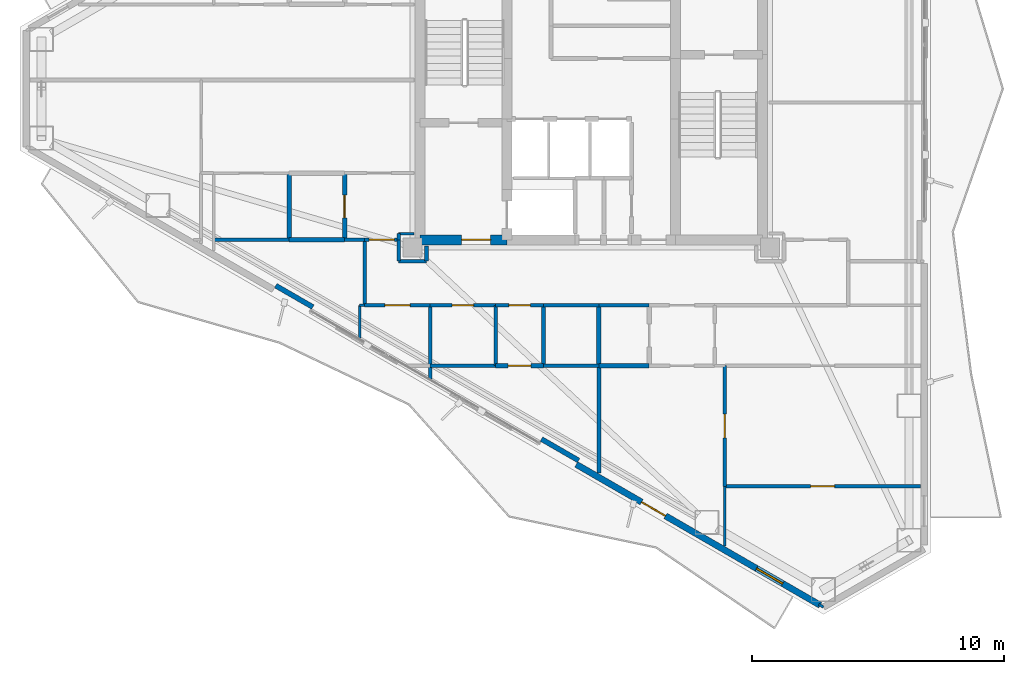
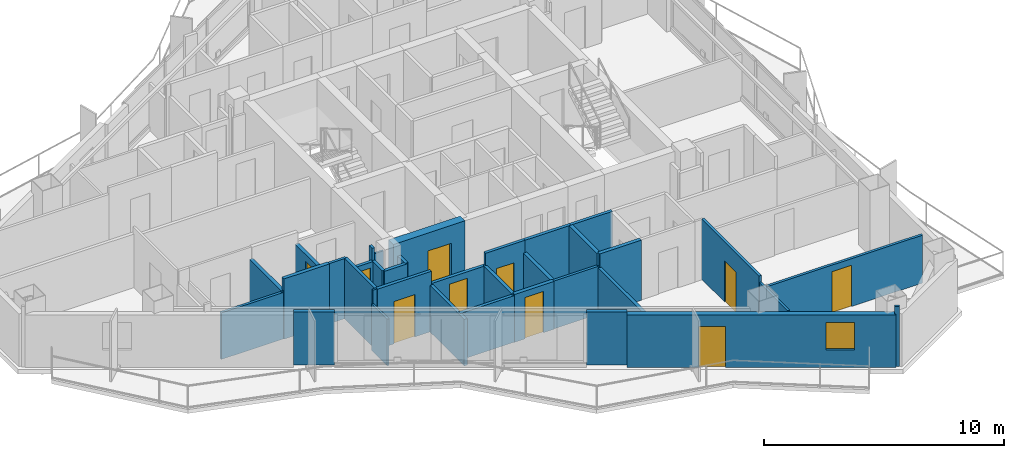
# One storey, part 12 of 19: 36 walls, 10 doors, 1 window, 11 openings.
"""IFC4 building model written with IfcOpenShell, lengths in metres."""

from ifc_helpers import new_model, si_unit, direction, frame, frame_2d, origin, place, context, subcontext, project, spatial, rectangle, extrude, material, layer, layer_set, type_object, element, fill, save


model = new_model("IFC4")

# Units and contexts
model_context = context("Model", 3, precision=1e-05, world=origin(), true_north=direction((0.0, 1.0)))
body_context = subcontext(model_context, "Body", "Model", "MODEL_VIEW")
ifc_project = project(units=[si_unit("LENGTHUNIT", "METRE"), si_unit("AREAUNIT", "SQUARE_METRE"), si_unit("VOLUMEUNIT", "CUBIC_METRE"), si_unit("PLANEANGLEUNIT", "RADIAN"), si_unit("MASSUNIT", "GRAM", prefix="KILO")], contexts=[model_context])

# Site, building, storey
site_placement = place(None, origin())
site = spatial("IfcSite", under=ifc_project, at=site_placement, CompositionType="ELEMENT")
building_placement = place(site_placement, origin())
building = spatial("IfcBuilding", under=site, at=building_placement, Name="Mersakhor Tower and Convention Hall", CompositionType="ELEMENT")
storey_placement = place(building_placement, frame((0.0, 0.0, 141.0)))
storey = spatial("IfcBuildingStorey", under=building, at=storey_placement, Name="L39", CompositionType="ELEMENT", Elevation=141.0)

# Wall, openings, door, window
ifc_material_1 = material(Name="Precast concrete C40/50", Category="concrete")
ifc_layer_1 = layer(ifc_material_1, 0.25)
ifc_layer_set_1 = layer_set([ifc_layer_1], Name="Precast concrete C40/50")
wall_type_1 = type_object("IfcWallType", Name="WL-EXT-250", PredefinedType="SOLIDWALL", material=ifc_layer_set_1)
wall_1_placement = place(storey_placement, frame((38.090576171875, 6.2373046875, 0.0), z_axis=(0.0, 0.0, 1.0), x_axis=(-0.86602239209, 0.500005216371, 0.0)))
wall_1 = element("IfcWall", 1, at=wall_1_placement, inside=storey, type_object=wall_type_1, Name="L39 Exterior Facade Wall F3-B1", PredefinedType="SOLIDWALL", context=body_context, shape_type="SweptSolid", body=[
    extrude(rectangle(XDim=11.18603515625, YDim=0.25, at=frame_2d((5.593017578125, 0.0))), origin(), (0.0, 0.0, 1.0), 2.679931640625),
])
opening_1_placement = place(wall_1_placement, frame((7.094970703125, 0.0, 0.0)))
opening_1 = element("IfcOpeningElement", 2, at=opening_1_placement, cuts=wall_1, Name="Opening BD-02", PredefinedType="OPENING", context=body_context, shape_type="SweptSolid", body=[
    extrude(rectangle(XDim=1.10009765625, YDim=2.10009765625, at=frame_2d((0.550048828125, 1.050048828125))), frame((0.0, 0.135009765625, 0.0), z_axis=(0.0, -1.0, 0.0), x_axis=(1.0, 0.0, 0.0)), (0.0, 0.0, 1.0), 0.27001953125),
])
opening_2_placement = place(wall_1_placement, frame((1.718017578125, 0.0, 0.89990234375)))
opening_2 = element("IfcOpeningElement", 3, at=opening_2_placement, cuts=wall_1, Name="Opening W-01", PredefinedType="OPENING", context=body_context, shape_type="SweptSolid", body=[
    extrude(rectangle(XDim=1.199951171875, YDim=1.39990234375, at=frame_2d((0.60009765625, 0.699951171875))), frame((0.0, 0.135009765625, 0.0), z_axis=(0.0, -1.0, 0.0), x_axis=(1.0, 0.0, 0.0)), (0.0, 0.0, 1.0), 0.27001953125),
])
ifc_material_2 = material(Name="Thermally broken dark aluminium and safety glass", Category="aluminium")
door_type_1 = type_object("IfcDoorType", Name="DR-BAL-110x210", OperationType="NOTDEFINED", PredefinedType="DOOR", material=ifc_material_2)
door_1_placement = place(opening_1_placement, origin())
door_1 = element("IfcDoor", 4, at=door_1_placement, inside=storey, type_object=door_type_1, Name="L39 Balcony Terrace Door F3-B1", OperationType="SINGLE_SWING_RIGHT", OverallHeight=2.10009765625, OverallWidth=1.10009765625, PredefinedType="DOOR", context=body_context, shape_type="SweptSolid", body=[
    extrude(rectangle(XDim=1.10009765625, YDim=2.10009765625, at=frame_2d((0.550048828125, 1.050048828125))), frame((0.0, 0.02490234375, 0.0), z_axis=(0.0, -1.0, 0.0), x_axis=(1.0, 0.0, 0.0)), (0.0, 0.0, 1.0), 0.050048828125),
])
fill(opening_1, door_1)
ifc_material_3 = material(Name="Dark solar low-E glazed aluminium window", Category="aluminium")
window_type = type_object("IfcWindowType", Name="WN-RES-120x150", PartitioningType="SINGLE_PANEL", PredefinedType="WINDOW", material=ifc_material_3)
window_placement = place(opening_2_placement, origin())
window = element("IfcWindow", 5, at=window_placement, inside=storey, type_object=window_type, Name="L39 Bedroom Facade Window F3-B1-1", OverallHeight=1.39990234375, OverallWidth=1.199951171875, PartitioningType="SINGLE_PANEL", PredefinedType="WINDOW", context=body_context, shape_type="SweptSolid", body=[
    extrude(rectangle(XDim=1.199951171875, YDim=1.39990234375, at=frame_2d((0.60009765625, 0.699951171875))), frame((0.0, 0.030029296875, 0.0), z_axis=(0.0, -1.0, 0.0), x_axis=(1.0, 0.0, 0.0)), (0.0, 0.0, 1.0), 0.06005859375),
])
fill(opening_2, window)

# Walls
ifc_material_4 = material(Name="Precast concrete C40/50", Category="concrete")
ifc_layer_2 = layer(ifc_material_4, 0.199951171875)
ifc_layer_set_2 = layer_set([ifc_layer_2], Name="Precast concrete C40/50")
wall_type_2 = type_object("IfcWallType", Name="WL-PAR-200", PredefinedType="PARAPET", material=ifc_layer_set_2)
for number, where, z_axis, x_axis, name in (
    (6, (28.4931640625, 11.986328125, 0.0), (0.0, 0.0, 1.0), (-0.86605165483, 0.499954529098, 0.0), "L39 Column Pier Cladding Wall F3-C1"),
    (7, (17.939697265625, 18.0791015625, 0.0), (0.0, 0.0, 1.0), (-0.865989465428, 0.500062241894, 0.0), "L39 Column Pier Cladding Wall F3-C2"),
):
    element("IfcWall", number, at=place(storey_placement, frame(where, z_axis=z_axis, x_axis=x_axis)), inside=storey, type_object=wall_type_2, Name=name, PredefinedType="PARAPET", context=body_context, shape_type="SweptSolid", body=[
        extrude(rectangle(XDim=1.699951171875, YDim=0.199951171875, at=frame_2d((0.85009765625, 0.0))), origin(), (0.0, 0.0, 1.0), 2.679931640625),
    ])

# Wall, opening, door
ifc_material_5 = material(Name="Moisture-resistant acoustic drywall studwork", Category="other")
ifc_layer_3 = layer(ifc_material_5, 0.175048828125)
ifc_layer_set_3 = layer_set([ifc_layer_3], Name="Moisture-resistant acoustic drywall studwork")
wall_type_3 = type_object("IfcWallType", Name="WL-PLM-175", PredefinedType="PLUMBINGWALL", material=ifc_layer_set_3)
wall_2_placement = place(storey_placement, frame((19.199951171875, 20.75, 0.0), z_axis=(0.0, 0.0, 1.0), x_axis=(0.0, 1.0, 0.0)))
wall_2 = element("IfcWall", 8, at=wall_2_placement, inside=storey, type_object=wall_type_3, Name="L39 Interior Partition Wall P-064", PredefinedType="PLUMBINGWALL", context=body_context, shape_type="SweptSolid", body=[
    extrude(rectangle(XDim=2.64990234375, YDim=0.175048828125, at=frame_2d((1.324951171875, 0.0))), origin(), (0.0, 0.0, 1.0), 2.432861328125),
])
opening_3_placement = place(wall_2_placement, frame((0.875, 0.0, 0.0)))
opening_3 = element("IfcOpeningElement", 9, at=opening_3_placement, cuts=wall_2, Name="Opening WD-01", PredefinedType="OPENING", context=body_context, shape_type="SweptSolid", body=[
    extrude(rectangle(XDim=0.89990234375, YDim=2.10009765625, at=frame_2d((0.449951171875, 1.050048828125))), frame((0.0, 0.097412109375, 0.0), z_axis=(0.0, -1.0, 0.0), x_axis=(1.0, 0.0, 0.0)), (0.0, 0.0, 1.0), 0.195068359375),
])
ifc_material_6 = material(Name="Solid-core hardwood leaf in painted steel frame", Category="steel")
door_type_2 = type_object("IfcDoorType", Name="DR-INT-WET-090x210", OperationType="NOTDEFINED", PredefinedType="DOOR", material=ifc_material_6)
door_2_placement = place(opening_3_placement, origin())
door_2 = element("IfcDoor", 10, at=door_2_placement, inside=storey, type_object=door_type_2, Name="L39 L39 Flat W6 Apartment Hall to L39 Flat W6 Bathroom Door", OperationType="SINGLE_SWING_RIGHT", OverallHeight=2.10009765625, OverallWidth=0.89990234375, PredefinedType="DOOR", context=body_context, shape_type="SweptSolid", body=[
    extrude(rectangle(XDim=0.89990234375, YDim=2.10009765625, at=frame_2d((0.449951171875, 1.050048828125))), frame((0.0, 0.02490234375, 0.0), z_axis=(0.0, -1.0, 0.0), x_axis=(1.0, 0.0, 0.0)), (0.0, 0.0, 1.0), 0.050048828125),
])
fill(opening_3, door_2)

wall_3_placement = place(storey_placement, frame((27.10009765625, 15.75, 0.0), z_axis=(0.0, 0.0, 1.0), x_axis=(-1.0, 0.0, 0.0)))
wall_3 = element("IfcWall", 11, at=wall_3_placement, inside=storey, type_object=wall_type_3, Name="L39 Interior Partition Wall P-077", PredefinedType="PLUMBINGWALL", context=body_context, shape_type="SweptSolid", body=[
    extrude(rectangle(XDim=1.900146484375, YDim=0.175048828125, at=frame_2d((0.9501953125, 0.0))), origin(), (0.0, 0.0, 1.0), 2.432861328125),
])
opening_4_placement = place(wall_3_placement, frame((0.5, 0.0, 0.0)))
opening_4 = element("IfcOpeningElement", 12, at=opening_4_placement, cuts=wall_3, Name="Opening WD-01", PredefinedType="OPENING", context=body_context, shape_type="SweptSolid", body=[
    extrude(rectangle(XDim=0.89990234375, YDim=2.10009765625, at=frame_2d((0.449951171875, 1.050048828125))), frame((0.0, 0.097412109375, 0.0), z_axis=(0.0, -1.0, 0.0), x_axis=(1.0, 0.0, 0.0)), (0.0, 0.0, 1.0), 0.195068359375),
])
door_3_placement = place(opening_4_placement, origin())
door_3 = element("IfcDoor", 13, at=door_3_placement, inside=storey, type_object=door_type_2, Name="L39 L39 Floor Shared Restroom WC 3-2 to L39 Floor Residents Study Room 3-4 Door", OperationType="SINGLE_SWING_LEFT", OverallHeight=2.10009765625, OverallWidth=0.89990234375, PredefinedType="DOOR", context=body_context, shape_type="SweptSolid", body=[
    extrude(rectangle(XDim=0.89990234375, YDim=2.10009765625, at=frame_2d((0.449951171875, 1.050048828125))), frame((0.0, 0.02490234375, 0.0), z_axis=(0.0, -1.0, 0.0), x_axis=(1.0, 0.0, 0.0)), (0.0, 0.0, 1.0), 0.050048828125),
])
fill(opening_4, door_3)

# Walls
wall_4_placement = place(storey_placement, frame((27.10009765625, 18.14990234375, 0.0), z_axis=(0.0, 0.0, 1.0), x_axis=(0.0, -1.0, 0.0)))
element("IfcWall", 14, at=wall_4_placement, inside=storey, type_object=wall_type_3, Name="L39 Interior Partition Wall P-079", PredefinedType="PLUMBINGWALL", context=body_context, shape_type="SweptSolid", body=[
    extrude(rectangle(XDim=2.39990234375, YDim=0.175048828125, at=frame_2d((1.199951171875, 0.0))), origin(), (0.0, 0.0, 1.0), 2.432861328125),
])
wall_5_placement = place(storey_placement, frame((31.300048828125, 15.75, 0.0), z_axis=(0.0, 0.0, 1.0), x_axis=(-1.0, 0.0, 0.0)))
element("IfcWall", 15, at=wall_5_placement, inside=storey, type_object=wall_type_3, Name="L39 Interior Partition Wall P-080", PredefinedType="PLUMBINGWALL", context=body_context, shape_type="SweptSolid", body=[
    extrude(rectangle(XDim=2.0, YDim=0.175048828125, at=frame_2d((1.0, 0.0))), origin(), (0.0, 0.0, 1.0), 3.06005859375),
])
wall_6_placement = place(storey_placement, frame((29.300048828125, 15.75, 0.0), z_axis=(0.0, 0.0, 1.0), x_axis=(0.0, 1.0, 0.0)))
element("IfcWall", 16, at=wall_6_placement, inside=storey, type_object=wall_type_3, Name="L39 Interior Partition Wall P-081", PredefinedType="PLUMBINGWALL", context=body_context, shape_type="SweptSolid", body=[
    extrude(rectangle(XDim=2.39990234375, YDim=0.175048828125, at=frame_2d((1.199951171875, 0.0))), origin(), (0.0, 0.0, 1.0), 3.06005859375),
])
wall_7_placement = place(storey_placement, frame((19.199951171875, 20.75, 0.0), z_axis=(0.0, 0.0, 1.0), x_axis=(-1.0, 0.0, 0.0)))
element("IfcWall", 17, at=wall_7_placement, inside=storey, type_object=wall_type_3, Name="L39 Interior Partition Wall P-092", PredefinedType="PLUMBINGWALL", context=body_context, shape_type="SweptSolid", body=[
    extrude(rectangle(XDim=2.199951171875, YDim=0.175048828125, at=frame_2d((1.10009765625, 0.0))), origin(), (0.0, 0.0, 1.0), 3.06005859375),
])
wall_8_placement = place(storey_placement, frame((17.0, 20.75, 0.0), z_axis=(0.0, 0.0, 1.0), x_axis=(0.0, 1.0, 0.0)))
element("IfcWall", 18, at=wall_8_placement, inside=storey, type_object=wall_type_3, Name="L39 Interior Partition Wall P-093", PredefinedType="PLUMBINGWALL", context=body_context, shape_type="SweptSolid", body=[
    extrude(rectangle(XDim=2.64990234375, YDim=0.175048828125, at=frame_2d((1.324951171875, 0.0))), origin(), (0.0, 0.0, 1.0), 2.432861328125),
])
ifc_material_7 = material(Name="Lightweight gypsum partition", Category="other")
ifc_layer_4 = layer(ifc_material_7, 0.10009765625)
ifc_layer_set_4 = layer_set([ifc_layer_4], Name="Lightweight gypsum partition")
wall_type_4 = type_object("IfcWallType", Name="WL-PRT-100", PredefinedType="PARTITIONING", material=ifc_layer_set_4)
wall_9_placement = place(storey_placement, frame((21.949951171875, 21.0, 0.0), z_axis=(0.0, 0.0, 1.0), x_axis=(-1.0, 0.0, 0.0)))
element("IfcWall", 19, at=wall_9_placement, inside=storey, type_object=wall_type_4, Name="L39 Interior Partition Wall P-066", PredefinedType="PARTITIONING", context=body_context, shape_type="SweptSolid", body=[
    extrude(rectangle(XDim=0.599853515625, YDim=0.10009765625, at=frame_2d((0.2998046875, 0.0))), origin(), (0.0, 0.0, 1.0), 2.5849609375),
])
wall_10_placement = place(storey_placement, frame((19.800048828125, 18.14990234375, 0.0), z_axis=(0.0, 0.0, 1.0), x_axis=(1.0, 0.0, 0.0)))
element("IfcWall", 20, at=wall_10_placement, inside=storey, type_object=wall_type_4, Name="L39 Interior Partition Wall P-122", PredefinedType="PARTITIONING", context=body_context, shape_type="SweptSolid", body=[
    extrude(rectangle(XDim=0.199951171875, YDim=0.10009765625, at=frame_2d((0.10009765625, 0.0))), origin(), (0.0, 0.0, 1.0), 3.06005859375),
])
wall_11_placement = place(storey_placement, frame((19.800048828125, 16.84130859375, 0.0), z_axis=(0.0, 0.0, 1.0), x_axis=(0.0, 1.0, 0.0)))
element("IfcWall", 21, at=wall_11_placement, inside=storey, type_object=wall_type_4, Name="L39 Interior Partition Wall P-124", PredefinedType="PARTITIONING", context=body_context, shape_type="SweptSolid", body=[
    extrude(rectangle(XDim=1.30859375, YDim=0.10009765625, at=frame_2d((0.654296875, 0.0))), origin(), (0.0, 0.0, 1.0), 2.364990234375),
])
wall_12_placement = place(storey_placement, frame((34.300048828125, 10.9599609375, 0.0), z_axis=(0.0, 0.0, 1.0), x_axis=(0.0, -1.0, 0.0)))
element("IfcWall", 22, at=wall_12_placement, inside=storey, type_object=wall_type_4, Name="L39 Interior Partition Wall P-128", PredefinedType="PARTITIONING", context=body_context, shape_type="SweptSolid", body=[
    extrude(rectangle(XDim=2.362060546875, YDim=0.10009765625, at=frame_2d((1.18115234375, 0.0))), origin(), (0.0, 0.0, 1.0), 2.724609375),
])
wall_13_placement = place(storey_placement, frame((38.220703125, 6.162109375, 0.0), z_axis=(0.0, 0.0, 1.0), x_axis=(-0.865581379588, 0.500768285049, 0.0)))
element("IfcWall", 23, at=wall_13_placement, inside=storey, type_object=wall_type_4, Name="L39 Interior Partition Wall P-130", PredefinedType="PARTITIONING", context=body_context, shape_type="SweptSolid", body=[
    extrude(rectangle(XDim=0.215576171875, YDim=0.10009765625, at=frame_2d((0.10791015625, 0.0))), origin(), (0.0, 0.0, 1.0), 3.06005859375),
])
ifc_material_8 = material(Name="Gypsum board acoustic partition", Category="other")
ifc_layer_5 = layer(ifc_material_8, 0.125)
ifc_layer_set_5 = layer_set([ifc_layer_5], Name="Gypsum board acoustic partition")
wall_type_5 = type_object("IfcWallType", Name="WL-PRT-125", PredefinedType="PARTITIONING", material=ifc_layer_set_5)
wall_14_placement = place(storey_placement, frame((20.0, 20.75, 0.0), z_axis=(0.0, 0.0, 1.0), x_axis=(-1.0, 0.0, 0.0)))
element("IfcWall", 24, at=wall_14_placement, inside=storey, type_object=wall_type_5, Name="L39 Interior Partition Wall P-063", PredefinedType="PARTITIONING", context=body_context, shape_type="SweptSolid", body=[
    extrude(rectangle(XDim=0.800048828125, YDim=0.125, at=frame_2d((0.39990234375, 0.0))), origin(), (0.0, 0.0, 1.0), 3.06005859375),
])
wall_15_placement = place(storey_placement, frame((21.35009765625, 21.0, 0.0), z_axis=(0.0, 0.0, 1.0), x_axis=(0.0, -1.0, 0.0)))
element("IfcWall", 25, at=wall_15_placement, inside=storey, type_object=wall_type_5, Name="L39 Interior Partition Wall P-067", PredefinedType="PARTITIONING", context=body_context, shape_type="SweptSolid", body=[
    extrude(rectangle(XDim=0.25, YDim=0.125, at=frame_2d((0.125, 0.0))), origin(), (0.0, 0.0, 1.0), 3.06005859375),
])
wall_16_placement = place(storey_placement, frame((17.0, 20.75, 0.0), z_axis=(0.0, 0.0, 1.0), x_axis=(-1.0, 0.0, 0.0)))
element("IfcWall", 26, at=wall_16_placement, inside=storey, type_object=wall_type_5, Name="L39 Interior Partition Wall P-095", PredefinedType="PARTITIONING", context=body_context, shape_type="SweptSolid", body=[
    extrude(rectangle(XDim=3.0, YDim=0.125, at=frame_2d((1.5, 0.0))), origin(), (0.0, 0.0, 1.0), 2.364990234375),
])
wall_17_placement = place(storey_placement, frame((27.10009765625, 15.75, 0.0), z_axis=(0.0, 0.0, 1.0), x_axis=(1.0, 0.0, 0.0)))
element("IfcWall", 27, at=wall_17_placement, inside=storey, type_object=wall_type_5, Name="L39 Interior Partition Wall P-125", PredefinedType="PARTITIONING", context=body_context, shape_type="SweptSolid", body=[
    extrude(rectangle(XDim=2.199951171875, YDim=0.125, at=frame_2d((1.10009765625, 0.0))), origin(), (0.0, 0.0, 1.0), 2.432861328125),
])

# Wall, opening, door
wall_18_placement = place(storey_placement, frame((34.300048828125, 15.75, 0.0), z_axis=(0.0, 0.0, 1.0), x_axis=(0.0, -1.0, 0.0)))
wall_18 = element("IfcWall", 28, at=wall_18_placement, inside=storey, type_object=wall_type_5, Name="L39 Interior Partition Wall P-127", PredefinedType="PARTITIONING", context=body_context, shape_type="SweptSolid", body=[
    extrude(rectangle(XDim=4.7900390625, YDim=0.125, at=frame_2d((2.39501953125, 0.0))), origin(), (0.0, 0.0, 1.0), 3.06005859375),
])
opening_5_placement = place(wall_18_placement, frame((1.919921875, 0.0, 0.0)))
opening_5 = element("IfcOpeningElement", 29, at=opening_5_placement, cuts=wall_18, Name="Opening RD-01", PredefinedType="OPENING", context=body_context, shape_type="SweptSolid", body=[
    extrude(rectangle(XDim=0.949951171875, YDim=2.10009765625, at=frame_2d((0.47509765625, 1.050048828125))), frame((0.0, 0.072509765625, 0.0), z_axis=(0.0, -1.0, 0.0), x_axis=(1.0, 0.0, 0.0)), (0.0, 0.0, 1.0), 0.14501953125),
])
ifc_material_9 = material(Name="Solid-core hardwood leaf in painted steel frame", Category="steel")
door_type_3 = type_object("IfcDoorType", Name="DR-INT-RM-095x210", OperationType="NOTDEFINED", PredefinedType="DOOR", material=ifc_material_9)
door_4_placement = place(opening_5_placement, origin())
door_4 = element("IfcDoor", 30, at=door_4_placement, inside=storey, type_object=door_type_3, Name="L39 L39 Flat S4 Living and Dining Room to L39 Flat S4 Dining Room Door", OperationType="SINGLE_SWING_RIGHT", OverallHeight=2.10009765625, OverallWidth=0.949951171875, PredefinedType="DOOR", context=body_context, shape_type="SweptSolid", body=[
    extrude(rectangle(XDim=0.949951171875, YDim=2.10009765625, at=frame_2d((0.47509765625, 1.050048828125))), frame((0.0, 0.02490234375, 0.0), z_axis=(0.0, -1.0, 0.0), x_axis=(1.0, 0.0, 0.0)), (0.0, 0.0, 1.0), 0.050048828125),
])
fill(opening_5, door_4)

wall_19_placement = place(storey_placement, frame((34.300048828125, 10.9599609375, 0.0), z_axis=(0.0, 0.0, 1.0), x_axis=(1.0, 0.0, 0.0)))
wall_19 = element("IfcWall", 31, at=wall_19_placement, inside=storey, type_object=wall_type_5, Name="L39 Interior Partition Wall P-129", PredefinedType="PARTITIONING", context=body_context, shape_type="SweptSolid", body=[
    extrude(rectangle(XDim=7.770263671875, YDim=0.125, at=frame_2d((3.88525390625, 0.0))), origin(), (0.0, 0.0, 1.0), 2.432861328125),
])
opening_6_placement = place(wall_19_placement, frame((3.41015625, 0.0, 0.0)))
opening_6 = element("IfcOpeningElement", 32, at=opening_6_placement, cuts=wall_19, Name="Opening RD-01", PredefinedType="OPENING", context=body_context, shape_type="SweptSolid", body=[
    extrude(rectangle(XDim=0.949951171875, YDim=2.10009765625, at=frame_2d((0.47509765625, 1.050048828125))), frame((0.0, 0.072509765625, 0.0), z_axis=(0.0, -1.0, 0.0), x_axis=(1.0, 0.0, 0.0)), (0.0, 0.0, 1.0), 0.14501953125),
])
door_5_placement = place(opening_6_placement, origin())
door_5 = element("IfcDoor", 33, at=door_5_placement, inside=storey, type_object=door_type_3, Name="L39 L39 Flat S4 Bedroom 1 to L39 Flat S4 Dining Room Door", OperationType="SINGLE_SWING_LEFT", OverallHeight=2.10009765625, OverallWidth=0.949951171875, PredefinedType="DOOR", context=body_context, shape_type="SweptSolid", body=[
    extrude(rectangle(XDim=0.949951171875, YDim=2.10009765625, at=frame_2d((0.47509765625, 1.050048828125))), frame((0.0, 0.02490234375, 0.0), z_axis=(0.0, -1.0, 0.0), x_axis=(1.0, 0.0, 0.0)), (0.0, 0.0, 1.0), 0.050048828125),
])
fill(opening_6, door_5)

# Walls
ifc_material_10 = material(Name="Fire-rated gypsum board stud partition", Category="other")
ifc_layer_6 = layer(ifc_material_10, 0.14990234375)
ifc_layer_set_6 = layer_set([ifc_layer_6], Name="Fire-rated gypsum board stud partition")
wall_type_6 = type_object("IfcWallType", Name="WL-PRT-150", PredefinedType="PARTITIONING", material=ifc_layer_set_6)
wall_20_placement = place(storey_placement, frame((22.449951171875, 19.89990234375, 0.0), z_axis=(0.0, 0.0, 1.0), x_axis=(0.0, 1.0, 0.0)))
element("IfcWall", 34, at=wall_20_placement, inside=storey, type_object=wall_type_6, Name="L39 Interior Partition Wall P-034", PredefinedType="PARTITIONING", context=body_context, shape_type="SweptSolid", body=[
    extrude(rectangle(XDim=0.60009765625, YDim=0.14990234375, at=frame_2d((0.300048828125, 0.0))), origin(), (0.0, 0.0, 1.0), 2.432861328125),
])
wall_21_placement = place(storey_placement, frame((31.300048828125, 18.14990234375, 0.0), z_axis=(0.0, 0.0, 1.0), x_axis=(-1.0, 0.0, 0.0)))
element("IfcWall", 35, at=wall_21_placement, inside=storey, type_object=wall_type_6, Name="L39 Interior Partition Wall P-043", PredefinedType="PARTITIONING", context=body_context, shape_type="SweptSolid", body=[
    extrude(rectangle(XDim=2.0, YDim=0.14990234375, at=frame_2d((1.0, 0.0))), origin(), (0.0, 0.0, 1.0), 3.06005859375),
])
wall_22_placement = place(storey_placement, frame((29.300048828125, 18.14990234375, 0.0), z_axis=(0.0, 0.0, 1.0), x_axis=(-1.0, 0.0, 0.0)))
element("IfcWall", 36, at=wall_22_placement, inside=storey, type_object=wall_type_6, Name="L39 Interior Partition Wall P-044", PredefinedType="PARTITIONING", context=body_context, shape_type="SweptSolid", body=[
    extrude(rectangle(XDim=2.199951171875, YDim=0.14990234375, at=frame_2d((1.10009765625, 0.0))), origin(), (0.0, 0.0, 1.0), 3.06005859375),
])

# Wall, opening, door
wall_23_placement = place(storey_placement, frame((27.10009765625, 18.14990234375, 0.0), z_axis=(0.0, 0.0, 1.0), x_axis=(-1.0, 0.0, 0.0)))
wall_23 = element("IfcWall", 37, at=wall_23_placement, inside=storey, type_object=wall_type_6, Name="L39 Interior Partition Wall P-045", PredefinedType="PARTITIONING", context=body_context, shape_type="SweptSolid", body=[
    extrude(rectangle(XDim=1.900146484375, YDim=0.14990234375, at=frame_2d((0.9501953125, 0.0))), origin(), (0.0, 0.0, 1.0), 3.06005859375),
])
opening_7_placement = place(wall_23_placement, frame((0.52490234375, 0.0, 0.0)))
opening_7 = element("IfcOpeningElement", 38, at=opening_7_placement, cuts=wall_23, Name="Opening SVD-01", PredefinedType="OPENING", context=body_context, shape_type="SweptSolid", body=[
    extrude(rectangle(XDim=0.85009765625, YDim=2.10009765625, at=frame_2d((0.425048828125, 1.050048828125))), frame((0.0, 0.0849609375, 0.0), z_axis=(0.0, -1.0, 0.0), x_axis=(1.0, 0.0, 0.0)), (0.0, 0.0, 1.0), 0.169921875),
])
ifc_material_11 = material(Name="Fire-rated hardwood leaf and painted steel frame", Category="steel")
door_type_4 = type_object("IfcDoorType", Name="DR-INT-SVC-085x210", OperationType="NOTDEFINED", PredefinedType="DOOR", material=ifc_material_11)
door_6_placement = place(opening_7_placement, origin())
door_6 = element("IfcDoor", 39, at=door_6_placement, inside=storey, type_object=door_type_4, Name="L39 Residential South Gallery Corridor to L39 Floor Shared Restroom WC 3-2 Door", OperationType="SINGLE_SWING_RIGHT", OverallHeight=2.10009765625, OverallWidth=0.85009765625, PredefinedType="DOOR", context=body_context, shape_type="SweptSolid", body=[
    extrude(rectangle(XDim=0.85009765625, YDim=2.10009765625, at=frame_2d((0.425048828125, 1.050048828125))), frame((0.0, 0.02490234375, 0.0), z_axis=(0.0, -1.0, 0.0), x_axis=(1.0, 0.0, 0.0)), (0.0, 0.0, 1.0), 0.050048828125),
])
fill(opening_7, door_6)

wall_24_placement = place(storey_placement, frame((25.199951171875, 18.14990234375, 0.0), z_axis=(0.0, 0.0, 1.0), x_axis=(-1.0, 0.0, 0.0)))
wall_24 = element("IfcWall", 40, at=wall_24_placement, inside=storey, type_object=wall_type_6, Name="L39 Interior Partition Wall P-046", PredefinedType="PARTITIONING", context=body_context, shape_type="SweptSolid", body=[
    extrude(rectangle(XDim=2.599853515625, YDim=0.14990234375, at=frame_2d((1.2998046875, 0.0))), origin(), (0.0, 0.0, 1.0), 2.432861328125),
])
opening_8_placement = place(wall_24_placement, frame((0.875, 0.0, 0.0)))
opening_8 = element("IfcOpeningElement", 41, at=opening_8_placement, cuts=wall_24, Name="Opening SVD-01", PredefinedType="OPENING", context=body_context, shape_type="SweptSolid", body=[
    extrude(rectangle(XDim=0.85009765625, YDim=2.10009765625, at=frame_2d((0.425048828125, 1.050048828125))), frame((0.0, 0.0849609375, 0.0), z_axis=(0.0, -1.0, 0.0), x_axis=(1.0, 0.0, 0.0)), (0.0, 0.0, 1.0), 0.169921875),
])
door_7_placement = place(opening_8_placement, origin())
door_7 = element("IfcDoor", 42, at=door_7_placement, inside=storey, type_object=door_type_4, Name="L39 Residential South Gallery Corridor to L39 Floor Household Store Room 3-1 Door", OperationType="SINGLE_SWING_RIGHT", OverallHeight=2.10009765625, OverallWidth=0.85009765625, PredefinedType="DOOR", context=body_context, shape_type="SweptSolid", body=[
    extrude(rectangle(XDim=0.85009765625, YDim=2.10009765625, at=frame_2d((0.425048828125, 1.050048828125))), frame((0.0, 0.02490234375, 0.0), z_axis=(0.0, -1.0, 0.0), x_axis=(1.0, 0.0, 0.0)), (0.0, 0.0, 1.0), 0.050048828125),
])
fill(opening_8, door_7)

wall_25_placement = place(storey_placement, frame((22.60009765625, 18.14990234375, 0.0), z_axis=(0.0, 0.0, 1.0), x_axis=(-1.0, 0.0, 0.0)))
wall_25 = element("IfcWall", 43, at=wall_25_placement, inside=storey, type_object=wall_type_6, Name="L39 Interior Partition Wall P-047", PredefinedType="PARTITIONING", context=body_context, shape_type="SweptSolid", body=[
    extrude(rectangle(XDim=2.60009765625, YDim=0.14990234375, at=frame_2d((1.300048828125, 0.0))), origin(), (0.0, 0.0, 1.0), 3.06005859375),
])
opening_9_placement = place(wall_25_placement, frame((0.800048828125, 0.0, 0.0)))
opening_9 = element("IfcOpeningElement", 44, at=opening_9_placement, cuts=wall_25, Name="Opening FD-01", PredefinedType="OPENING", context=body_context, shape_type="SweptSolid", body=[
    extrude(rectangle(XDim=1.0, YDim=2.14990234375, at=frame_2d((0.5, 1.074951171875))), frame((0.0, 0.0849609375, 0.0), z_axis=(0.0, -1.0, 0.0), x_axis=(1.0, 0.0, 0.0)), (0.0, 0.0, 1.0), 0.169921875),
])
ifc_material_12 = material(Name="Fire-rated hardwood leaf and painted steel frame", Category="steel")
door_type_5 = type_object("IfcDoorType", Name="DR-INT-FLT-100x215", OperationType="NOTDEFINED", PredefinedType="DOOR", material=ifc_material_12)
door_8_placement = place(opening_9_placement, origin())
door_8 = element("IfcDoor", 45, at=door_8_placement, inside=storey, type_object=door_type_5, Name="L39 Residential South Gallery Corridor to L39 Floor Shared Tea Pantry 3-3 Door", OperationType="SINGLE_SWING_LEFT", OverallHeight=2.14990234375, OverallWidth=1.0, PredefinedType="DOOR", context=body_context, shape_type="SweptSolid", body=[
    extrude(rectangle(XDim=1.0, YDim=2.14990234375, at=frame_2d((0.5, 1.074951171875))), frame((0.0, 0.02490234375, 0.0), z_axis=(0.0, -1.0, 0.0), x_axis=(1.0, 0.0, 0.0)), (0.0, 0.0, 1.0), 0.050048828125),
])
fill(opening_9, door_8)

# Wall
wall_26_placement = place(storey_placement, frame((20.0, 18.14990234375, 0.0), z_axis=(0.0, 0.0, 1.0), x_axis=(0.0, 1.0, 0.0)))
element("IfcWall", 46, at=wall_26_placement, inside=storey, type_object=wall_type_6, Name="L39 Interior Partition Wall P-048", PredefinedType="PARTITIONING", context=body_context, shape_type="SweptSolid", body=[
    extrude(rectangle(XDim=2.60009765625, YDim=0.14990234375, at=frame_2d((1.300048828125, 0.0))), origin(), (0.0, 0.0, 1.0), 3.06005859375),
])

# Wall, opening, door
wall_27_placement = place(storey_placement, frame((20.0, 20.75, 0.0), z_axis=(0.0, 0.0, 1.0), x_axis=(1.0, 0.0, 0.0)))
wall_27 = element("IfcWall", 47, at=wall_27_placement, inside=storey, type_object=wall_type_6, Name="L39 Interior Partition Wall P-049", PredefinedType="PARTITIONING", context=body_context, shape_type="SweptSolid", body=[
    extrude(rectangle(XDim=1.35009765625, YDim=0.14990234375, at=frame_2d((0.675048828125, 0.0))), origin(), (0.0, 0.0, 1.0), 2.432861328125),
])
opening_10_placement = place(wall_27_placement, frame((0.175048828125, 0.0, 0.0)))
opening_10 = element("IfcOpeningElement", 48, at=opening_10_placement, cuts=wall_27, Name="Opening FD-01", PredefinedType="OPENING", context=body_context, shape_type="SweptSolid", body=[
    extrude(rectangle(XDim=1.0, YDim=2.14990234375, at=frame_2d((0.5, 1.074951171875))), frame((0.0, 0.0849609375, 0.0), z_axis=(0.0, -1.0, 0.0), x_axis=(1.0, 0.0, 0.0)), (0.0, 0.0, 1.0), 0.169921875),
])
door_9_placement = place(opening_10_placement, origin())
door_9 = element("IfcDoor", 49, at=door_9_placement, inside=storey, type_object=door_type_5, Name="L39 Apartment Entrance Door (Residential South Gallery Corridor to L39 Flat W6 Apartment Hall)", OperationType="SINGLE_SWING_LEFT", OverallHeight=2.14990234375, OverallWidth=1.0, PredefinedType="DOOR", context=body_context, shape_type="SweptSolid", body=[
    extrude(rectangle(XDim=1.0, YDim=2.14990234375, at=frame_2d((0.5, 1.074951171875))), frame((0.0, 0.02490234375, 0.0), z_axis=(0.0, -1.0, 0.0), x_axis=(1.0, 0.0, 0.0)), (0.0, 0.0, 1.0), 0.050048828125),
])
fill(opening_10, door_9)

# Walls
wall_28_placement = place(storey_placement, frame((21.35009765625, 20.75, 0.0), z_axis=(0.0, 0.0, 1.0), x_axis=(0.0, -1.0, 0.0)))
element("IfcWall", 50, at=wall_28_placement, inside=storey, type_object=wall_type_6, Name="L39 Interior Partition Wall P-050", PredefinedType="PARTITIONING", context=body_context, shape_type="SweptSolid", body=[
    extrude(rectangle(XDim=0.85009765625, YDim=0.14990234375, at=frame_2d((0.425048828125, 0.0))), origin(), (0.0, 0.0, 1.0), 2.432861328125),
])
wall_29_placement = place(storey_placement, frame((21.35009765625, 19.89990234375, 0.0), z_axis=(0.0, 0.0, 1.0), x_axis=(1.0, 0.0, 0.0)))
element("IfcWall", 51, at=wall_29_placement, inside=storey, type_object=wall_type_6, Name="L39 Interior Partition Wall P-051", PredefinedType="PARTITIONING", context=body_context, shape_type="SweptSolid", body=[
    extrude(rectangle(XDim=1.099853515625, YDim=0.14990234375, at=frame_2d((0.5498046875, 0.0))), origin(), (0.0, 0.0, 1.0), 2.432861328125),
])
wall_30_placement = place(storey_placement, frame((25.199951171875, 15.75, 0.0), z_axis=(0.0, 0.0, 1.0), x_axis=(0.0, 1.0, 0.0)))
element("IfcWall", 52, at=wall_30_placement, inside=storey, type_object=wall_type_6, Name="L39 Interior Partition Wall P-078", PredefinedType="PARTITIONING", context=body_context, shape_type="SweptSolid", body=[
    extrude(rectangle(XDim=2.39990234375, YDim=0.14990234375, at=frame_2d((1.199951171875, 0.0))), origin(), (0.0, 0.0, 1.0), 2.432861328125),
])
wall_31_placement = place(storey_placement, frame((25.199951171875, 15.75, 0.0), z_axis=(0.0, 0.0, 1.0), x_axis=(-1.0, 0.0, 0.0)))
element("IfcWall", 53, at=wall_31_placement, inside=storey, type_object=wall_type_6, Name="L39 Interior Partition Wall P-120", PredefinedType="PARTITIONING", context=body_context, shape_type="SweptSolid", body=[
    extrude(rectangle(XDim=2.599853515625, YDim=0.14990234375, at=frame_2d((1.2998046875, 0.0))), origin(), (0.0, 0.0, 1.0), 2.364990234375),
])
wall_32_placement = place(storey_placement, frame((22.60009765625, 15.224609375, 0.0), z_axis=(0.0, 0.0, 1.0), x_axis=(0.0, 1.0, 0.0)))
element("IfcWall", 54, at=wall_32_placement, inside=storey, type_object=wall_type_6, Name="L39 Interior Partition Wall P-121", PredefinedType="PARTITIONING", context=body_context, shape_type="SweptSolid", body=[
    extrude(rectangle(XDim=2.92529296875, YDim=0.14990234375, at=frame_2d((1.462646484375, 0.0))), origin(), (0.0, 0.0, 1.0), 2.364990234375),
])
wall_33_placement = place(storey_placement, frame((29.300048828125, 15.75, 0.0), z_axis=(0.0, 0.0, 1.0), x_axis=(0.0, -1.0, 0.0)))
element("IfcWall", 55, at=wall_33_placement, inside=storey, type_object=wall_type_6, Name="L39 Interior Partition Wall P-126", PredefinedType="PARTITIONING", context=body_context, shape_type="SweptSolid", body=[
    extrude(rectangle(XDim=4.265380859375, YDim=0.14990234375, at=frame_2d((2.1328125, 0.0))), origin(), (0.0, 0.0, 1.0), 2.364990234375),
])

# Wall, opening, door
ifc_material_13 = material(Name="Concrete C60/75", Category="concrete")
ifc_layer_7 = layer(ifc_material_13, 0.39990234375)
ifc_layer_set_7 = layer_set([ifc_layer_7], Name="Concrete C60/75")
wall_type_7 = type_object("IfcWallType", Name="WL-SHR-400", PredefinedType="SHEAR", material=ifc_layer_set_7)
wall_34_placement = place(storey_placement, frame((25.64990234375, 20.75, 0.0), z_axis=(0.0, 0.0, 1.0), x_axis=(-1.0, 0.0, 0.0)))
wall_34 = element("IfcWall", 56, at=wall_34_placement, inside=storey, type_object=wall_type_7, Name="L39 Core Wall CW-S4", PredefinedType="SHEAR", context=body_context, shape_type="SweptSolid", body=[
    extrude(rectangle(XDim=3.449951171875, YDim=0.39990234375, at=frame_2d((1.72509765625, 0.0))), origin(), (0.0, 0.0, 1.0), 3.06005859375),
])
opening_11_placement = place(wall_34_placement, frame((0.64990234375, 0.0, 0.0)))
opening_11 = element("IfcOpeningElement", 57, at=opening_11_placement, cuts=wall_34, Name="Opening SD-01", PredefinedType="OPENING", context=body_context, shape_type="SweptSolid", body=[
    extrude(rectangle(XDim=1.14990234375, YDim=2.14990234375, at=frame_2d((0.574951171875, 1.074951171875))), frame((0.0, 0.2099609375, 0.0), z_axis=(0.0, -1.0, 0.0), x_axis=(1.0, 0.0, 0.0)), (0.0, 0.0, 1.0), 0.419921875),
])
ifc_material_14 = material(Name="Fire-rated hardwood leaf and painted steel frame", Category="steel")
door_type_6 = type_object("IfcDoorType", Name="DR-INT-STAIR-115x215", OperationType="NOTDEFINED", PredefinedType="DOOR", material=ifc_material_14)
door_10_placement = place(opening_11_placement, origin())
door_10 = element("IfcDoor", 58, at=door_10_placement, inside=storey, type_object=door_type_6, Name="L39 Firefighting Lobby West Fire Door", OperationType="SINGLE_SWING_LEFT", OverallHeight=2.14990234375, OverallWidth=1.14990234375, PredefinedType="DOOR", context=body_context, shape_type="SweptSolid", body=[
    extrude(rectangle(XDim=1.14990234375, YDim=2.14990234375, at=frame_2d((0.574951171875, 1.074951171875))), frame((0.0, 0.02490234375, 0.0), z_axis=(0.0, -1.0, 0.0), x_axis=(1.0, 0.0, 0.0)), (0.0, 0.0, 1.0), 0.050048828125),
])
fill(opening_11, door_10)

save(model, "model.ifc")
